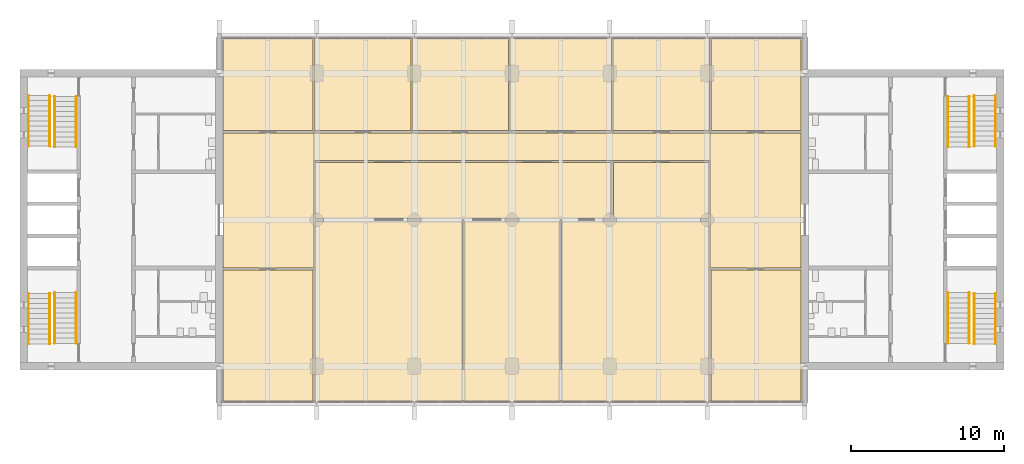
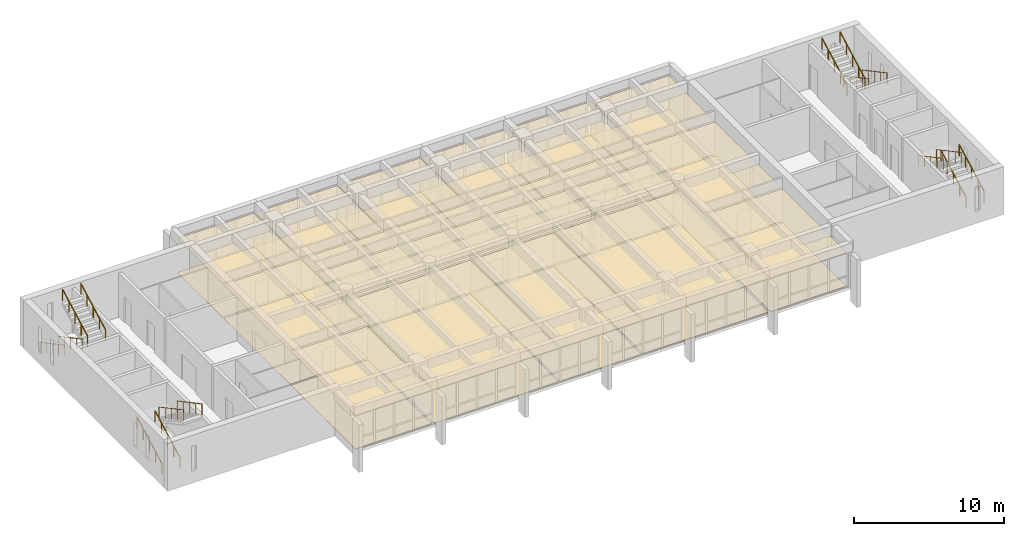
# One storey, part 14 of 15: 32 coverings, 16 railings.
"""IFC4 building model written with IfcOpenShell, lengths in metres."""

import ifcopenshell
import ifcopenshell.guid

model = None  # the IFC model being written
_history = None  # IfcOwnerHistory: only IFC2X3 demands one
_inside = {}  # id of a spatial element -> (the spatial element, [elements in it])
_under = {}  # id of a project, library or spatial element -> (it, [spatial elements below it])
_declared = {}  # id of a project -> (the project, [libraries it declares])
_typed = {}  # id of a type object -> (the type object, [elements of that type])
_made_of = {}  # id of a material, layer set ... -> (it, [elements and type objects made of it])


def new_model(schema):
    """Start an empty IFC model of exactly this schema.

    Asked for "IFC4X3", IfcOpenShell would pick the latest addendum, in which some entities
    have other attributes; the version numbers below select the first issue.
    IFC2X3 requires an IfcOwnerHistory on every rooted entity: one is made here for all.
    """
    global model, _history
    if schema == "IFC4X3":
        model = ifcopenshell.file(schema_version=(4, 3, 0, 0))
    else:
        model = ifcopenshell.file(schema=schema)
    _inside.clear()
    _under.clear()
    _declared.clear()
    _typed.clear()
    _made_of.clear()
    _history = None
    if model.schema == "IFC2X3":
        org = make("IfcOrganization", Name="unknown")
        user = make(
            "IfcPersonAndOrganization",
            ThePerson=make("IfcPerson", FamilyName="unknown"),
            TheOrganization=org,
        )
        app = make(
            "IfcApplication",
            ApplicationDeveloper=org,
            Version="unknown",
            ApplicationFullName="unknown",
            ApplicationIdentifier="unknown",
        )
        _history = make(
            "IfcOwnerHistory",
            OwningUser=user,
            OwningApplication=app,
            ChangeAction="ADDED",
            CreationDate=0,
        )
    return model


def make(cls, **values):
    """One entity of the class cls with the attributes given. An attribute that is None is left unset."""
    return model.create_entity(
        cls, **{name: value for name, value in values.items() if value is not None}
    )


def rooted(cls, **values):
    """An entity with a GlobalId (a new one), such as an element, a storey or a relation."""
    return make(cls, GlobalId=ifcopenshell.guid.new(), OwnerHistory=_history, **values)


def si_unit(unit_type, name, prefix=None):
    """IfcSIUnit, for example si_unit("LENGTHUNIT", "METRE", prefix="MILLI")."""
    return make("IfcSIUnit", UnitType=unit_type, Prefix=prefix, Name=name)


def assignment(units):
    """IfcUnitAssignment: the units of a project."""
    return None if units is None else make("IfcUnitAssignment", Units=units)


def point(xyz):
    """IfcCartesianPoint."""
    return None if xyz is None else make("IfcCartesianPoint", Coordinates=xyz)


def direction(xyz):
    """IfcDirection."""
    return None if xyz is None else make("IfcDirection", DirectionRatios=xyz)


def frame(location, z_axis=None, x_axis=None):
    """IfcAxis2Placement3D, a coordinate frame: its origin and axes. An axis left out is left unset."""
    return make(
        "IfcAxis2Placement3D",
        Location=point(location),
        Axis=direction(z_axis),
        RefDirection=direction(x_axis),
    )


def frame_2d(location, x_axis=None):
    """IfcAxis2Placement2D, a coordinate frame in the plane: its origin and x axis."""
    return make(
        "IfcAxis2Placement2D", Location=point(location), RefDirection=direction(x_axis)
    )


def origin():
    """The frame at (0, 0, 0) with its axes left unset."""
    return frame((0.0, 0.0, 0.0))


def origin_2d():
    """The frame at (0, 0) in the plane with its x axis left unset."""
    return frame_2d((0.0, 0.0))


def place(relative_to, where):
    """IfcLocalPlacement: puts the frame where relative to a parent placement (None: the world)."""
    return make(
        "IfcLocalPlacement", PlacementRelTo=relative_to, RelativePlacement=where
    )


def context(
    kind, dimensions, precision=None, world=None, true_north=None, identifier=None
):
    """IfcGeometricRepresentationContext, for example the 3D "Model" context."""
    return make(
        "IfcGeometricRepresentationContext",
        ContextIdentifier=identifier,
        ContextType=kind,
        CoordinateSpaceDimension=dimensions,
        Precision=precision,
        WorldCoordinateSystem=world,
        TrueNorth=true_north,
    )


def subcontext(parent, identifier, kind, view, scale=None):
    """IfcGeometricRepresentationSubContext, for example "Body" below "Model"."""
    return make(
        "IfcGeometricRepresentationSubContext",
        ContextIdentifier=identifier,
        ContextType=kind,
        ParentContext=parent,
        TargetScale=scale,
        TargetView=view,
    )


def project(units=None, contexts=None):
    """IfcProject with its units and contexts."""
    return rooted(
        "IfcProject",
        Name="project",
        RepresentationContexts=contexts,
        UnitsInContext=assignment(units),
    )


def spatial(cls, under=None, at=None, **own):
    """A site, building, storey or space (cls), placed at a placement, below another one or the project."""
    s = rooted(cls, ObjectPlacement=at, **own)
    if under is not None:
        _under.setdefault(under.id(), (under, []))[1].append(s)
    return s


def polyline(points):
    """IfcPolyline through the points."""
    return make("IfcPolyline", Points=[point(p) for p in points])


def profile(cls, at=None, kind="AREA", **sizes):
    """A parametric profile (cls). Its sizes go by their IFC names, for example OverallWidth=200.0."""
    return make(cls, ProfileType=kind, Position=at, **sizes)


def circle(**sizes):
    """IfcCircleProfileDef."""
    return profile("IfcCircleProfileDef", **sizes)


def outline(outer, holes=None, kind="AREA"):
    """IfcArbitraryClosedProfileDef: a profile drawn as a closed curve; with holes, ...WithVoids."""
    if holes is None:
        return make("IfcArbitraryClosedProfileDef", ProfileType=kind, OuterCurve=outer)
    return make(
        "IfcArbitraryProfileDefWithVoids",
        ProfileType=kind,
        OuterCurve=outer,
        InnerCurves=holes,
    )


def extrude(swept, where, along, depth):
    """IfcExtrudedAreaSolid: the profile swept, set in the frame where, extruded along a direction by depth."""
    return make(
        "IfcExtrudedAreaSolid",
        SweptArea=swept,
        Position=where,
        ExtrudedDirection=direction(along),
        Depth=depth,
    )


def shape(context_of_items, identifier, shape_type, items):
    """IfcShapeRepresentation: the items that make up one representation, for example the "Body"."""
    return make(
        "IfcShapeRepresentation",
        ContextOfItems=context_of_items,
        RepresentationIdentifier=identifier,
        RepresentationType=shape_type,
        Items=items,
    )


def material(Name=None, Category=None):
    """IfcMaterial."""
    return make("IfcMaterial", Name=Name, Category=Category)


def layer(
    of_material, thickness, ventilated=None, Name=None, Category=None, Priority=None
):
    """IfcMaterialLayer: one layer of a wall or slab, of a material (None: an air gap)."""
    return make(
        "IfcMaterialLayer",
        Material=of_material,
        LayerThickness=thickness,
        IsVentilated=ventilated,
        Name=Name,
        Category=Category,
        Priority=Priority,
    )


def layer_set(layers, Name=None):
    """IfcMaterialLayerSet."""
    return make("IfcMaterialLayerSet", MaterialLayers=layers, LayerSetName=Name)


def made_of(thing, what):
    """Note that an element or type object is made of a material, layer set ...; save() writes the relation."""
    if what is not None:
        _made_of.setdefault(what.id(), (what, []))[1].append(thing)
    return thing


def type_object(cls, material=None, **own):
    """A type object (cls), such as IfcWallType, which elements share."""
    return made_of(rooted(cls, **own), material)


def element(
    cls,
    number,
    at=None,
    inside=None,
    cuts=None,
    type_object=None,
    material=None,
    context=None,
    identifier="Body",
    shape_type=None,
    held_by="IfcProductDefinitionShape",
    body=None,
    shapes=None,
    **own,
):
    """One element of the class cls, such as IfcWall. Its Tag is "e" and its number.

    at: its placement. inside: the storey or other place that contains it. cuts: it is an
    opening in that element (IfcRelVoidsElement). A single representation is given by context,
    identifier, shape_type and body (its items); several are given by shapes. held_by: the class
    of the entity that holds the representations. save() writes the other relations.
    """
    e = rooted(cls, Tag="e%d" % number, ObjectPlacement=at, **own)
    if body is not None:
        shapes = [shape(context, identifier, shape_type, body)]
    if shapes is not None:
        e.Representation = make(held_by, Representations=shapes)
    if inside is not None:
        _inside.setdefault(inside.id(), (inside, []))[1].append(e)
    if cuts is not None:
        rooted(
            "IfcRelVoidsElement", RelatingBuildingElement=cuts, RelatedOpeningElement=e
        )
    if type_object is not None:
        _typed.setdefault(type_object.id(), (type_object, []))[1].append(e)
    return made_of(e, material)


def aggregate(whole, parts):
    """IfcRelAggregates: a whole, such as a stair, and the parts it consists of."""
    return rooted("IfcRelAggregates", RelatingObject=whole, RelatedObjects=parts)


def save(model, path):
    """Write the relations noted so far, then the file.

    IfcRelAggregates (storeys below a building ...), IfcRelContainedInSpatialStructure (elements
    in a storey), IfcRelDefinesByType, IfcRelAssociatesMaterial and IfcRelDeclares: one each for
    every whole, place, type object, material and project.
    """
    for whole, parts in _under.values():
        aggregate(whole, parts)
    for where, things in _inside.values():
        rooted(
            "IfcRelContainedInSpatialStructure",
            RelatedElements=things,
            RelatingStructure=where,
        )
    for kind, things in _typed.values():
        rooted("IfcRelDefinesByType", RelatedObjects=things, RelatingType=kind)
    for what, things in _made_of.values():
        rooted("IfcRelAssociatesMaterial", RelatedObjects=things, RelatingMaterial=what)
    for by, libraries in _declared.values():
        rooted("IfcRelDeclares", RelatingContext=by, RelatedDefinitions=libraries)
    model.write(path)


model = new_model("IFC4")

# Units and contexts
model_context = context("Model", 3, precision=1e-05, world=origin(), true_north=direction((0.0, 1.0)))
body_context = subcontext(model_context, "Body", "Model", "MODEL_VIEW")
ifc_project = project(units=[si_unit("LENGTHUNIT", "METRE"), si_unit("AREAUNIT", "SQUARE_METRE"), si_unit("VOLUMEUNIT", "CUBIC_METRE"), si_unit("PLANEANGLEUNIT", "RADIAN"), si_unit("MASSUNIT", "GRAM", prefix="KILO")], contexts=[model_context])

# Site, building, storey
site_placement = place(None, origin())
site = spatial("IfcSite", under=ifc_project, at=site_placement, CompositionType="ELEMENT")
building_placement = place(site_placement, origin())
building = spatial("IfcBuilding", under=site, at=building_placement, Name="Fogon Plaza Fire Station and Headquarters Tower", CompositionType="ELEMENT")
storey_placement = place(building_placement, frame((0.0, 0.0, 44.39990234375)))
storey = spatial("IfcBuildingStorey", under=building, at=storey_placement, Name="L11", CompositionType="ELEMENT", Elevation=44.39990234375)

# Railings
ifc_material_1 = material(Name="Steel", Category="steel")
railing_type = type_object("IfcRailingType", Name="Stair Handrail 900", PredefinedType="HANDRAIL", material=ifc_material_1)
for number, where, name in (
    (1, (13.10009765625, 35.06005859375, 0.177490234375), "Handrail ST1"),
    (2, (14.5, 35.06005859375, 0.177490234375), "Handrail ST1"),
):
    element("IfcRailing", number, at=place(storey_placement, frame(where)), inside=storey, type_object=railing_type, Name=name, PredefinedType="HANDRAIL", context=body_context, shape_type="SweptSolid", body=[
        extrude(circle(Radius=0.02392578125, at=origin_2d()), frame((0.0, 0.0, 0.8759765625), z_axis=(0.0, 0.881829236777, 0.471568867892), x_axis=(-1.0, 0.0, 0.0)), (0.0, 0.0, 1.0), 3.75927734375),
        extrude(circle(Radius=0.02099609375, at=origin_2d()), origin(), (0.0, 0.0, 1.0), 0.851806640625),
        extrude(circle(Radius=0.02099609375, at=origin_2d()), frame((0.0, 0.82861328125, 0.443115234375)), (0.0, 0.0, 1.0), 0.851806640625),
        extrude(circle(Radius=0.02099609375, at=origin_2d()), frame((0.0, 1.657470703125, 0.88623046875)), (0.0, 0.0, 1.0), 0.851806640625),
        extrude(circle(Radius=0.02099609375, at=origin_2d()), frame((0.0, 2.486328125, 1.32958984375)), (0.0, 0.0, 1.0), 0.851806640625),
        extrude(circle(Radius=0.02099609375, at=origin_2d()), frame((0.0, 3.31494140625, 1.772705078125)), (0.0, 0.0, 1.0), 0.851806640625),
    ])
for number, where, name in (
    (3, (16.22509765625, 38.425048828125, 2.12744140625), "Handrail ST1"),
    (4, (14.824951171875, 38.425048828125, 2.12744140625), "Handrail ST1"),
):
    element("IfcRailing", number, at=place(storey_placement, frame(where)), inside=storey, type_object=railing_type, Name=name, PredefinedType="HANDRAIL", context=body_context, shape_type="SweptSolid", body=[
        extrude(circle(Radius=0.02392578125, at=origin_2d()), frame((0.0, 0.0, 0.8759765625), z_axis=(0.0, -0.881829236777, 0.471568867892), x_axis=(1.0, 0.0, 0.0)), (0.0, 0.0, 1.0), 3.75927734375),
        extrude(circle(Radius=0.02099609375, at=origin_2d()), origin(), (0.0, 0.0, 1.0), 0.851806640625),
        extrude(circle(Radius=0.02099609375, at=origin_2d()), frame((0.0, -0.82861328125, 0.443115234375)), (0.0, 0.0, 1.0), 0.851806640625),
        extrude(circle(Radius=0.02099609375, at=origin_2d()), frame((0.0, -1.657470703125, 0.88623046875)), (0.0, 0.0, 1.0), 0.851806640625),
        extrude(circle(Radius=0.02099609375, at=origin_2d()), frame((0.0, -2.486328125, 1.32958984375)), (0.0, 0.0, 1.0), 0.851806640625),
        extrude(circle(Radius=0.02099609375, at=origin_2d()), frame((0.0, -3.31494140625, 1.772705078125)), (0.0, 0.0, 1.0), 0.851806640625),
    ])
for number, where, name in (
    (5, (13.10009765625, 51.340087890625, 0.177490234375), "Handrail ST2"),
    (6, (14.5, 51.340087890625, 0.177490234375), "Handrail ST2"),
):
    element("IfcRailing", number, at=place(storey_placement, frame(where)), inside=storey, type_object=railing_type, Name=name, PredefinedType="HANDRAIL", context=body_context, shape_type="SweptSolid", body=[
        extrude(circle(Radius=0.02392578125, at=origin_2d()), frame((0.0, 0.0, 0.8759765625), z_axis=(0.0, -0.881843677922, 0.471541862095), x_axis=(1.0, 0.0, 0.0)), (0.0, 0.0, 1.0), 3.75927734375),
        extrude(circle(Radius=0.02099609375, at=origin_2d()), origin(), (0.0, 0.0, 1.0), 0.851806640625),
        extrude(circle(Radius=0.02099609375, at=origin_2d()), frame((0.0, -0.828857421875, 0.443115234375)), (0.0, 0.0, 1.0), 0.851806640625),
        extrude(circle(Radius=0.02099609375, at=origin_2d()), frame((0.0, -1.65771484375, 0.88623046875)), (0.0, 0.0, 1.0), 0.851806640625),
        extrude(circle(Radius=0.02099609375, at=origin_2d()), frame((0.0, -2.486328125, 1.32958984375)), (0.0, 0.0, 1.0), 0.851806640625),
        extrude(circle(Radius=0.02099609375, at=origin_2d()), frame((0.0, -3.315185546875, 1.772705078125)), (0.0, 0.0, 1.0), 0.851806640625),
    ])
for number, where, name in (
    (7, (16.22509765625, 47.97509765625, 2.12744140625), "Handrail ST2"),
    (8, (14.824951171875, 47.97509765625, 2.12744140625), "Handrail ST2"),
    (9, (76.5, 35.06005859375, 0.177490234375), "Handrail ST3"),
    (10, (75.10009765625, 35.06005859375, 0.177490234375), "Handrail ST3"),
):
    element("IfcRailing", number, at=place(storey_placement, frame(where)), inside=storey, type_object=railing_type, Name=name, PredefinedType="HANDRAIL", context=body_context, shape_type="SweptSolid", body=[
        extrude(circle(Radius=0.02392578125, at=origin_2d()), frame((0.0, 0.0, 0.8759765625), z_axis=(0.0, 0.881829236777, 0.471568867892), x_axis=(-1.0, 0.0, 0.0)), (0.0, 0.0, 1.0), 3.75927734375),
        extrude(circle(Radius=0.02099609375, at=origin_2d()), origin(), (0.0, 0.0, 1.0), 0.851806640625),
        extrude(circle(Radius=0.02099609375, at=origin_2d()), frame((0.0, 0.82861328125, 0.443115234375)), (0.0, 0.0, 1.0), 0.851806640625),
        extrude(circle(Radius=0.02099609375, at=origin_2d()), frame((0.0, 1.657470703125, 0.88623046875)), (0.0, 0.0, 1.0), 0.851806640625),
        extrude(circle(Radius=0.02099609375, at=origin_2d()), frame((0.0, 2.486328125, 1.32958984375)), (0.0, 0.0, 1.0), 0.851806640625),
        extrude(circle(Radius=0.02099609375, at=origin_2d()), frame((0.0, 3.31494140625, 1.772705078125)), (0.0, 0.0, 1.0), 0.851806640625),
    ])
for number, where, name in (
    (11, (73.375, 38.425048828125, 2.12744140625), "Handrail ST3"),
    (12, (74.77490234375, 38.425048828125, 2.12744140625), "Handrail ST3"),
):
    element("IfcRailing", number, at=place(storey_placement, frame(where)), inside=storey, type_object=railing_type, Name=name, PredefinedType="HANDRAIL", context=body_context, shape_type="SweptSolid", body=[
        extrude(circle(Radius=0.02392578125, at=origin_2d()), frame((0.0, 0.0, 0.8759765625), z_axis=(0.0, -0.881829236777, 0.471568867892), x_axis=(1.0, 0.0, 0.0)), (0.0, 0.0, 1.0), 3.75927734375),
        extrude(circle(Radius=0.02099609375, at=origin_2d()), origin(), (0.0, 0.0, 1.0), 0.851806640625),
        extrude(circle(Radius=0.02099609375, at=origin_2d()), frame((0.0, -0.82861328125, 0.443115234375)), (0.0, 0.0, 1.0), 0.851806640625),
        extrude(circle(Radius=0.02099609375, at=origin_2d()), frame((0.0, -1.657470703125, 0.88623046875)), (0.0, 0.0, 1.0), 0.851806640625),
        extrude(circle(Radius=0.02099609375, at=origin_2d()), frame((0.0, -2.486328125, 1.32958984375)), (0.0, 0.0, 1.0), 0.851806640625),
        extrude(circle(Radius=0.02099609375, at=origin_2d()), frame((0.0, -3.31494140625, 1.772705078125)), (0.0, 0.0, 1.0), 0.851806640625),
    ])
for number, where, name in (
    (13, (76.5, 51.340087890625, 0.177490234375), "Handrail ST4"),
    (14, (75.10009765625, 51.340087890625, 0.177490234375), "Handrail ST4"),
):
    element("IfcRailing", number, at=place(storey_placement, frame(where)), inside=storey, type_object=railing_type, Name=name, PredefinedType="HANDRAIL", context=body_context, shape_type="SweptSolid", body=[
        extrude(circle(Radius=0.02392578125, at=origin_2d()), frame((0.0, 0.0, 0.8759765625), z_axis=(0.0, -0.881843677922, 0.471541862095), x_axis=(1.0, 0.0, 0.0)), (0.0, 0.0, 1.0), 3.75927734375),
        extrude(circle(Radius=0.02099609375, at=origin_2d()), origin(), (0.0, 0.0, 1.0), 0.851806640625),
        extrude(circle(Radius=0.02099609375, at=origin_2d()), frame((0.0, -0.828857421875, 0.443115234375)), (0.0, 0.0, 1.0), 0.851806640625),
        extrude(circle(Radius=0.02099609375, at=origin_2d()), frame((0.0, -1.65771484375, 0.88623046875)), (0.0, 0.0, 1.0), 0.851806640625),
        extrude(circle(Radius=0.02099609375, at=origin_2d()), frame((0.0, -2.486328125, 1.32958984375)), (0.0, 0.0, 1.0), 0.851806640625),
        extrude(circle(Radius=0.02099609375, at=origin_2d()), frame((0.0, -3.315185546875, 1.772705078125)), (0.0, 0.0, 1.0), 0.851806640625),
    ])
for number, where, name in (
    (15, (73.375, 47.97509765625, 2.12744140625), "Handrail ST4"),
    (16, (74.77490234375, 47.97509765625, 2.12744140625), "Handrail ST4"),
):
    element("IfcRailing", number, at=place(storey_placement, frame(where)), inside=storey, type_object=railing_type, Name=name, PredefinedType="HANDRAIL", context=body_context, shape_type="SweptSolid", body=[
        extrude(circle(Radius=0.02392578125, at=origin_2d()), frame((0.0, 0.0, 0.8759765625), z_axis=(0.0, 0.881829236777, 0.471568867892), x_axis=(-1.0, 0.0, 0.0)), (0.0, 0.0, 1.0), 3.75927734375),
        extrude(circle(Radius=0.02099609375, at=origin_2d()), origin(), (0.0, 0.0, 1.0), 0.851806640625),
        extrude(circle(Radius=0.02099609375, at=origin_2d()), frame((0.0, 0.82861328125, 0.443115234375)), (0.0, 0.0, 1.0), 0.851806640625),
        extrude(circle(Radius=0.02099609375, at=origin_2d()), frame((0.0, 1.657470703125, 0.88623046875)), (0.0, 0.0, 1.0), 0.851806640625),
        extrude(circle(Radius=0.02099609375, at=origin_2d()), frame((0.0, 2.486328125, 1.32958984375)), (0.0, 0.0, 1.0), 0.851806640625),
        extrude(circle(Radius=0.02099609375, at=origin_2d()), frame((0.0, 3.31494140625, 1.772705078125)), (0.0, 0.0, 1.0), 0.851806640625),
    ])

# Coverings
ifc_material_2 = material(Name="Acoustic ceiling tile")
ifc_layer_1 = layer(ifc_material_2, 0.050048828125)
ifc_layer_set_1 = layer_set([ifc_layer_1], Name="Acoustic ceiling tile")
covering_type_1 = type_object("IfcCoveringType", Name="Tower acoustic ceiling", PredefinedType="CEILING", material=ifc_layer_set_1)
covering_1_placement = place(storey_placement, frame((0.0, 0.0, 2.72998046875)))
element("IfcCovering", 17, at=covering_1_placement, inside=storey, type_object=covering_type_1, Name="cov-cl-L11-05", PredefinedType="CEILING", context=body_context, shape_type="SweptSolid", body=[
    extrude(outline(polyline([(57.705078125, 43.27490234375), (57.705078125, 46.949951171875), (51.455078125, 46.949951171875), (51.455078125, 43.27490234375), (57.705078125, 43.27490234375)])), origin(), (0.0, 0.0, 1.0), 0.050048828125),
])
covering_2_placement = place(storey_placement, frame((0.0, 0.0, 2.72998046875)))
element("IfcCovering", 18, at=covering_2_placement, inside=storey, type_object=covering_type_1, Name="cov-cl-L11-08", PredefinedType="CEILING", context=body_context, shape_type="SweptSolid", body=[
    extrude(outline(polyline([(44.58251953125, 49.050048828125), (44.58251953125, 55.10009765625), (38.257568359375, 55.10009765625), (38.257568359375, 49.050048828125), (44.58251953125, 49.050048828125)])), origin(), (0.0, 0.0, 1.0), 0.050048828125),
])
ifc_material_3 = material(Name="Carpet tile")
ifc_layer_2 = layer(ifc_material_3, 0.011962890625)
ifc_layer_set_2 = layer_set([ifc_layer_2], Name="Carpet tile")
covering_type_2 = type_object("IfcCoveringType", Name="Tower carpet tile floor", PredefinedType="FLOORING", material=ifc_layer_set_2)
covering_3_placement = place(storey_placement, origin())
element("IfcCovering", 19, at=covering_3_placement, inside=storey, type_object=covering_type_2, Name="cov-fl-L11-01", PredefinedType="FLOORING", context=body_context, shape_type="SweptSolid", body=[
    extrude(outline(polyline([(41.550048828125, 31.300048828125), (41.550048828125, 43.125), (31.89501953125, 43.125), (31.89501953125, 31.300048828125), (41.550048828125, 31.300048828125)])), origin(), (0.0, 0.0, 1.0), 0.01220703125),
])
covering_4_placement = place(storey_placement, origin())
element("IfcCovering", 20, at=covering_4_placement, inside=storey, type_object=covering_type_2, Name="cov-fl-L11-02", PredefinedType="FLOORING", context=body_context, shape_type="SweptSolid", body=[
    extrude(outline(polyline([(47.949951171875, 31.300048828125), (47.949951171875, 43.125), (41.64990234375, 43.125), (41.64990234375, 31.300048828125), (47.949951171875, 31.300048828125)])), origin(), (0.0, 0.0, 1.0), 0.01220703125),
])
covering_5_placement = place(storey_placement, origin())
element("IfcCovering", 21, at=covering_5_placement, inside=storey, type_object=covering_type_2, Name="cov-fl-L11-05", PredefinedType="FLOORING", context=body_context, shape_type="SweptSolid", body=[
    extrude(outline(polyline([(57.705078125, 43.27490234375), (57.705078125, 46.949951171875), (51.455078125, 46.949951171875), (51.455078125, 43.27490234375), (57.705078125, 43.27490234375)])), origin(), (0.0, 0.0, 1.0), 0.01220703125),
])
covering_6_placement = place(storey_placement, origin())
element("IfcCovering", 22, at=covering_6_placement, inside=storey, type_object=covering_type_2, Name="cov-fl-L11-06", PredefinedType="FLOORING", context=body_context, shape_type="SweptSolid", body=[
    extrude(outline(polyline([(31.77001953125, 49.050048828125), (31.77001953125, 55.10009765625), (25.85009765625, 55.10009765625), (25.85009765625, 49.050048828125), (31.77001953125, 49.050048828125)])), origin(), (0.0, 0.0, 1.0), 0.01220703125),
])
covering_7_placement = place(storey_placement, origin())
element("IfcCovering", 23, at=covering_7_placement, inside=storey, type_object=covering_type_2, Name="cov-fl-L11-07", PredefinedType="FLOORING", context=body_context, shape_type="SweptSolid", body=[
    extrude(outline(polyline([(38.1826171875, 49.050048828125), (38.1826171875, 55.10009765625), (31.8701171875, 55.10009765625), (31.8701171875, 49.050048828125), (38.1826171875, 49.050048828125)])), origin(), (0.0, 0.0, 1.0), 0.01220703125),
])
covering_8_placement = place(storey_placement, origin())
element("IfcCovering", 24, at=covering_8_placement, inside=storey, type_object=covering_type_2, Name="cov-fl-L11-08", PredefinedType="FLOORING", context=body_context, shape_type="SweptSolid", body=[
    extrude(outline(polyline([(44.58251953125, 49.050048828125), (44.58251953125, 55.10009765625), (38.257568359375, 55.10009765625), (38.257568359375, 49.050048828125), (44.58251953125, 49.050048828125)])), origin(), (0.0, 0.0, 1.0), 0.01220703125),
])
covering_9_placement = place(storey_placement, origin())
element("IfcCovering", 25, at=covering_9_placement, inside=storey, type_object=covering_type_2, Name="cov-fl-L11-09", PredefinedType="FLOORING", context=body_context, shape_type="SweptSolid", body=[
    extrude(outline(polyline([(51.330078125, 49.050048828125), (51.330078125, 55.10009765625), (44.657470703125, 55.10009765625), (44.657470703125, 49.050048828125), (51.330078125, 49.050048828125)])), origin(), (0.0, 0.0, 1.0), 0.01220703125),
])
covering_10_placement = place(storey_placement, origin())
element("IfcCovering", 26, at=covering_10_placement, inside=storey, type_object=covering_type_2, Name="cov-fl-L11-10", PredefinedType="FLOORING", context=body_context, shape_type="SweptSolid", body=[
    extrude(outline(polyline([(57.72998046875, 49.050048828125), (57.72998046875, 55.10009765625), (51.429931640625, 55.10009765625), (51.429931640625, 49.050048828125), (57.72998046875, 49.050048828125)])), origin(), (0.0, 0.0, 1.0), 0.01220703125),
])
covering_11_placement = place(storey_placement, origin())
element("IfcCovering", 27, at=covering_11_placement, inside=storey, type_object=covering_type_2, Name="cov-fl-L11-11", PredefinedType="FLOORING", context=body_context, shape_type="SweptSolid", body=[
    extrude(outline(polyline([(63.75, 49.050048828125), (63.75, 55.10009765625), (57.830078125, 55.10009765625), (57.830078125, 49.050048828125), (63.75, 49.050048828125)])), origin(), (0.0, 0.0, 1.0), 0.01220703125),
])
ifc_material_4 = material(Name="Heavy duty carpet tile")
ifc_layer_3 = layer(ifc_material_4, 0.013916015625)
ifc_layer_set_3 = layer_set([ifc_layer_3], Name="Heavy duty carpet tile")
covering_type_3 = type_object("IfcCoveringType", Name="Tower corridor carpet floor", PredefinedType="FLOORING", material=ifc_layer_set_3)
covering_12_placement = place(storey_placement, origin())
element("IfcCovering", 28, at=covering_12_placement, inside=storey, type_object=covering_type_3, Name="cov-fl-L11-04", PredefinedType="FLOORING", context=body_context, shape_type="SweptSolid", body=[
    extrude(outline(polyline([(51.304931640625, 43.27490234375), (51.304931640625, 46.949951171875), (31.89501953125, 46.949951171875), (31.89501953125, 43.27490234375), (51.304931640625, 43.27490234375)])), origin(), (0.0, 0.0, 1.0), 0.01416015625),
])
covering_13_placement = place(storey_placement, origin())
element("IfcCovering", 29, at=covering_13_placement, inside=storey, type_object=covering_type_3, Name="cov-fl-L11-14", PredefinedType="FLOORING", context=body_context, shape_type="SweptSolid", body=[
    extrude(outline(polyline([(57.780029296875, 47.10009765625), (57.780029296875, 48.89990234375), (31.820068359375, 48.89990234375), (31.820068359375, 47.10009765625), (57.780029296875, 47.10009765625)])), origin(), (0.0, 0.0, 1.0), 0.01416015625),
])
covering_14_placement = place(storey_placement, origin())
element("IfcCovering", 30, at=covering_14_placement, inside=storey, type_object=covering_type_3, Name="cov-fl-L11-15", PredefinedType="FLOORING", context=body_context, shape_type="SweptSolid", body=[
    extrude(outline(polyline([(31.820068359375, 40.050048828125), (31.820068359375, 48.89990234375), (25.85009765625, 48.89990234375), (25.85009765625, 40.050048828125), (31.820068359375, 40.050048828125)])), origin(), (0.0, 0.0, 1.0), 0.01416015625),
])
covering_15_placement = place(storey_placement, origin())
element("IfcCovering", 31, at=covering_15_placement, inside=storey, type_object=covering_type_3, Name="cov-fl-L11-16", PredefinedType="FLOORING", context=body_context, shape_type="SweptSolid", body=[
    extrude(outline(polyline([(63.75, 40.050048828125), (63.75, 48.89990234375), (57.780029296875, 48.89990234375), (57.780029296875, 40.050048828125), (63.75, 40.050048828125)])), origin(), (0.0, 0.0, 1.0), 0.01416015625),
])
ifc_material_5 = material(Name="Moisture resistant plasterboard ceiling")
ifc_layer_4 = layer(ifc_material_5, 0.034912109375)
ifc_layer_set_4 = layer_set([ifc_layer_4], Name="Moisture resistant plasterboard ceiling")
covering_type_4 = type_object("IfcCoveringType", Name="Tower moisture resistant ceiling", PredefinedType="CEILING", material=ifc_layer_set_4)
covering_16_placement = place(storey_placement, frame((0.0, 0.0, 2.7451171875)))
element("IfcCovering", 32, at=covering_16_placement, inside=storey, type_object=covering_type_4, Name="cov-cl-L11-12", PredefinedType="CEILING", context=body_context, shape_type="SweptSolid", body=[
    extrude(outline(polyline([(31.7451171875, 31.300048828125), (31.7451171875, 39.89990234375), (25.85009765625, 39.89990234375), (25.85009765625, 31.300048828125), (31.7451171875, 31.300048828125)])), origin(), (0.0, 0.0, 1.0), 0.034912109375),
])
ifc_material_6 = material(Name="Plasterboard ceiling")
ifc_layer_5 = layer(ifc_material_6, 0.030029296875)
ifc_layer_set_5 = layer_set([ifc_layer_5], Name="Plasterboard ceiling")
covering_type_5 = type_object("IfcCoveringType", Name="Tower plasterboard ceiling", PredefinedType="CEILING", material=ifc_layer_set_5)
covering_17_placement = place(storey_placement, frame((0.0, 0.0, 2.75)))
element("IfcCovering", 33, at=covering_17_placement, inside=storey, type_object=covering_type_5, Name="cov-cl-L11-04", PredefinedType="CEILING", context=body_context, shape_type="SweptSolid", body=[
    extrude(outline(polyline([(51.304931640625, 43.27490234375), (51.304931640625, 46.949951171875), (31.89501953125, 46.949951171875), (31.89501953125, 43.27490234375), (51.304931640625, 43.27490234375)])), origin(), (0.0, 0.0, 1.0), 0.030029296875),
])
covering_18_placement = place(storey_placement, frame((0.0, 0.0, 2.75)))
element("IfcCovering", 34, at=covering_18_placement, inside=storey, type_object=covering_type_5, Name="cov-cl-L11-14", PredefinedType="CEILING", context=body_context, shape_type="SweptSolid", body=[
    extrude(outline(polyline([(57.780029296875, 47.10009765625), (57.780029296875, 48.89990234375), (31.820068359375, 48.89990234375), (31.820068359375, 47.10009765625), (57.780029296875, 47.10009765625)])), origin(), (0.0, 0.0, 1.0), 0.030029296875),
])
covering_19_placement = place(storey_placement, frame((0.0, 0.0, 2.75)))
element("IfcCovering", 35, at=covering_19_placement, inside=storey, type_object=covering_type_5, Name="cov-cl-L11-15", PredefinedType="CEILING", context=body_context, shape_type="SweptSolid", body=[
    extrude(outline(polyline([(31.820068359375, 40.050048828125), (31.820068359375, 48.89990234375), (25.85009765625, 48.89990234375), (25.85009765625, 40.050048828125), (31.820068359375, 40.050048828125)])), origin(), (0.0, 0.0, 1.0), 0.030029296875),
])
covering_20_placement = place(storey_placement, frame((0.0, 0.0, 2.75)))
element("IfcCovering", 36, at=covering_20_placement, inside=storey, type_object=covering_type_5, Name="cov-cl-L11-16", PredefinedType="CEILING", context=body_context, shape_type="SweptSolid", body=[
    extrude(outline(polyline([(63.75, 40.050048828125), (63.75, 48.89990234375), (57.780029296875, 48.89990234375), (57.780029296875, 40.050048828125), (63.75, 40.050048828125)])), origin(), (0.0, 0.0, 1.0), 0.030029296875),
])
ifc_material_7 = material(Name="Sealed cement screed")
ifc_layer_6 = layer(ifc_material_7, 0.030029296875)
ifc_layer_set_6 = layer_set([ifc_layer_6], Name="Sealed cement screed")
covering_type_6 = type_object("IfcCoveringType", Name="Tower sealed screed floor", PredefinedType="FLOORING", material=ifc_layer_set_6)
covering_21_placement = place(storey_placement, origin())
element("IfcCovering", 37, at=covering_21_placement, inside=storey, type_object=covering_type_6, Name="cov-fl-L11-03", PredefinedType="FLOORING", context=body_context, shape_type="SweptSolid", body=[
    extrude(outline(polyline([(57.705078125, 31.300048828125), (57.705078125, 43.125), (48.050048828125, 43.125), (48.050048828125, 31.300048828125), (57.705078125, 31.300048828125)])), origin(), (0.0, 0.0, 1.0), 0.030029296875),
])
covering_22_placement = place(storey_placement, origin())
element("IfcCovering", 38, at=covering_22_placement, inside=storey, type_object=covering_type_6, Name="cov-fl-L11-12", PredefinedType="FLOORING", context=body_context, shape_type="SweptSolid", body=[
    extrude(outline(polyline([(31.7451171875, 31.300048828125), (31.7451171875, 39.89990234375), (25.85009765625, 39.89990234375), (25.85009765625, 31.300048828125), (31.7451171875, 31.300048828125)])), origin(), (0.0, 0.0, 1.0), 0.030029296875),
])
covering_23_placement = place(storey_placement, origin())
element("IfcCovering", 39, at=covering_23_placement, inside=storey, type_object=covering_type_6, Name="cov-fl-L11-13", PredefinedType="FLOORING", context=body_context, shape_type="SweptSolid", body=[
    extrude(outline(polyline([(63.75, 31.300048828125), (63.75, 39.89990234375), (57.85498046875, 39.89990234375), (57.85498046875, 31.300048828125), (63.75, 31.300048828125)])), origin(), (0.0, 0.0, 1.0), 0.030029296875),
])
ifc_material_8 = material(Name="Mineral fibre ceiling tile")
ifc_layer_7 = layer(ifc_material_8, 0.0400390625)
ifc_layer_set_7 = layer_set([ifc_layer_7], Name="Mineral fibre ceiling tile")
covering_type_7 = type_object("IfcCoveringType", Name="Tower suspended tile ceiling", PredefinedType="CEILING", material=ifc_layer_set_7)
covering_24_placement = place(storey_placement, frame((0.0, 0.0, 2.739990234375)))
element("IfcCovering", 40, at=covering_24_placement, inside=storey, type_object=covering_type_7, Name="cov-cl-L11-01", PredefinedType="CEILING", context=body_context, shape_type="SweptSolid", body=[
    extrude(outline(polyline([(41.550048828125, 31.300048828125), (41.550048828125, 43.125), (31.89501953125, 43.125), (31.89501953125, 31.300048828125), (41.550048828125, 31.300048828125)])), origin(), (0.0, 0.0, 1.0), 0.0400390625),
])
covering_25_placement = place(storey_placement, frame((0.0, 0.0, 2.739990234375)))
element("IfcCovering", 41, at=covering_25_placement, inside=storey, type_object=covering_type_7, Name="cov-cl-L11-02", PredefinedType="CEILING", context=body_context, shape_type="SweptSolid", body=[
    extrude(outline(polyline([(47.949951171875, 31.300048828125), (47.949951171875, 43.125), (41.64990234375, 43.125), (41.64990234375, 31.300048828125), (47.949951171875, 31.300048828125)])), origin(), (0.0, 0.0, 1.0), 0.0400390625),
])
covering_26_placement = place(storey_placement, frame((0.0, 0.0, 2.739990234375)))
element("IfcCovering", 42, at=covering_26_placement, inside=storey, type_object=covering_type_7, Name="cov-cl-L11-03", PredefinedType="CEILING", context=body_context, shape_type="SweptSolid", body=[
    extrude(outline(polyline([(57.705078125, 31.300048828125), (57.705078125, 43.125), (48.050048828125, 43.125), (48.050048828125, 31.300048828125), (57.705078125, 31.300048828125)])), origin(), (0.0, 0.0, 1.0), 0.0400390625),
])
covering_27_placement = place(storey_placement, frame((0.0, 0.0, 2.739990234375)))
element("IfcCovering", 43, at=covering_27_placement, inside=storey, type_object=covering_type_7, Name="cov-cl-L11-06", PredefinedType="CEILING", context=body_context, shape_type="SweptSolid", body=[
    extrude(outline(polyline([(31.77001953125, 49.050048828125), (31.77001953125, 55.10009765625), (25.85009765625, 55.10009765625), (25.85009765625, 49.050048828125), (31.77001953125, 49.050048828125)])), origin(), (0.0, 0.0, 1.0), 0.0400390625),
])
covering_28_placement = place(storey_placement, frame((0.0, 0.0, 2.739990234375)))
element("IfcCovering", 44, at=covering_28_placement, inside=storey, type_object=covering_type_7, Name="cov-cl-L11-07", PredefinedType="CEILING", context=body_context, shape_type="SweptSolid", body=[
    extrude(outline(polyline([(38.1826171875, 49.050048828125), (38.1826171875, 55.10009765625), (31.8701171875, 55.10009765625), (31.8701171875, 49.050048828125), (38.1826171875, 49.050048828125)])), origin(), (0.0, 0.0, 1.0), 0.0400390625),
])
covering_29_placement = place(storey_placement, frame((0.0, 0.0, 2.739990234375)))
element("IfcCovering", 45, at=covering_29_placement, inside=storey, type_object=covering_type_7, Name="cov-cl-L11-09", PredefinedType="CEILING", context=body_context, shape_type="SweptSolid", body=[
    extrude(outline(polyline([(51.330078125, 49.050048828125), (51.330078125, 55.10009765625), (44.657470703125, 55.10009765625), (44.657470703125, 49.050048828125), (51.330078125, 49.050048828125)])), origin(), (0.0, 0.0, 1.0), 0.0400390625),
])
covering_30_placement = place(storey_placement, frame((0.0, 0.0, 2.739990234375)))
element("IfcCovering", 46, at=covering_30_placement, inside=storey, type_object=covering_type_7, Name="cov-cl-L11-10", PredefinedType="CEILING", context=body_context, shape_type="SweptSolid", body=[
    extrude(outline(polyline([(57.72998046875, 49.050048828125), (57.72998046875, 55.10009765625), (51.429931640625, 55.10009765625), (51.429931640625, 49.050048828125), (57.72998046875, 49.050048828125)])), origin(), (0.0, 0.0, 1.0), 0.0400390625),
])
covering_31_placement = place(storey_placement, frame((0.0, 0.0, 2.739990234375)))
element("IfcCovering", 47, at=covering_31_placement, inside=storey, type_object=covering_type_7, Name="cov-cl-L11-11", PredefinedType="CEILING", context=body_context, shape_type="SweptSolid", body=[
    extrude(outline(polyline([(63.75, 49.050048828125), (63.75, 55.10009765625), (57.830078125, 55.10009765625), (57.830078125, 49.050048828125), (63.75, 49.050048828125)])), origin(), (0.0, 0.0, 1.0), 0.0400390625),
])
covering_32_placement = place(storey_placement, frame((0.0, 0.0, 2.739990234375)))
element("IfcCovering", 48, at=covering_32_placement, inside=storey, type_object=covering_type_7, Name="cov-cl-L11-13", PredefinedType="CEILING", context=body_context, shape_type="SweptSolid", body=[
    extrude(outline(polyline([(63.75, 31.300048828125), (63.75, 39.89990234375), (57.85498046875, 39.89990234375), (57.85498046875, 31.300048828125), (63.75, 31.300048828125)])), origin(), (0.0, 0.0, 1.0), 0.0400390625),
])

save(model, "model.ifc")
